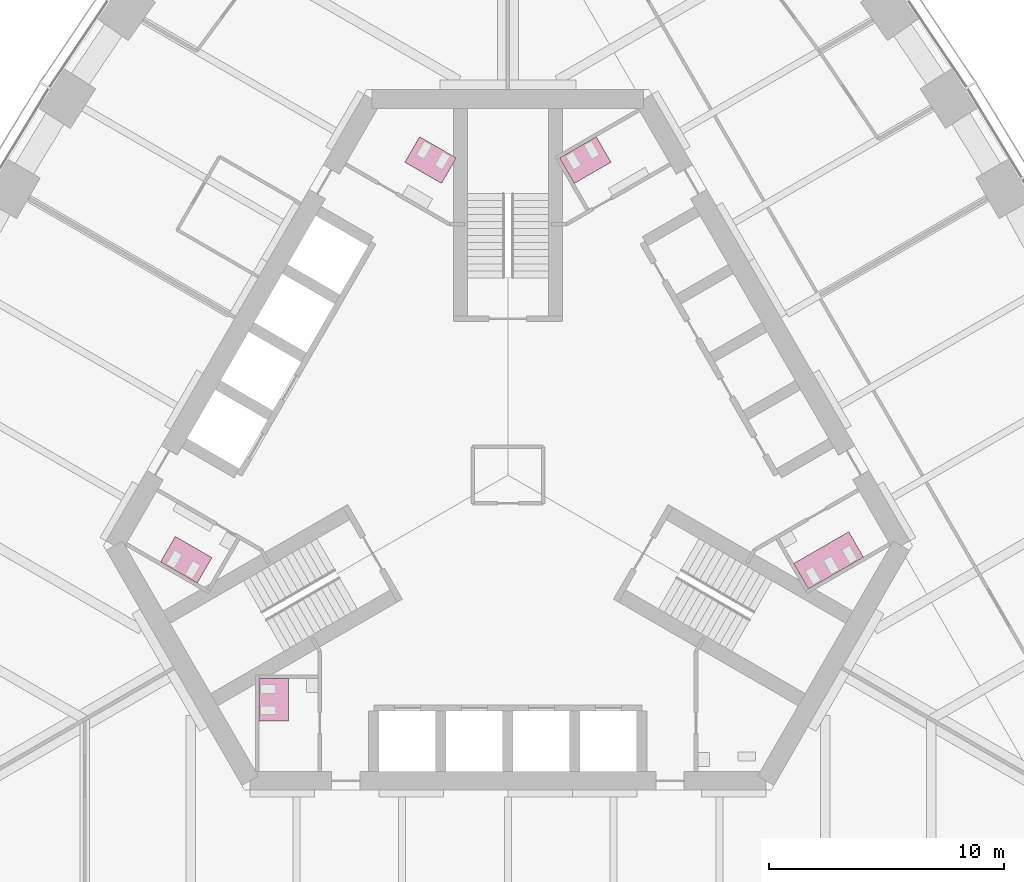
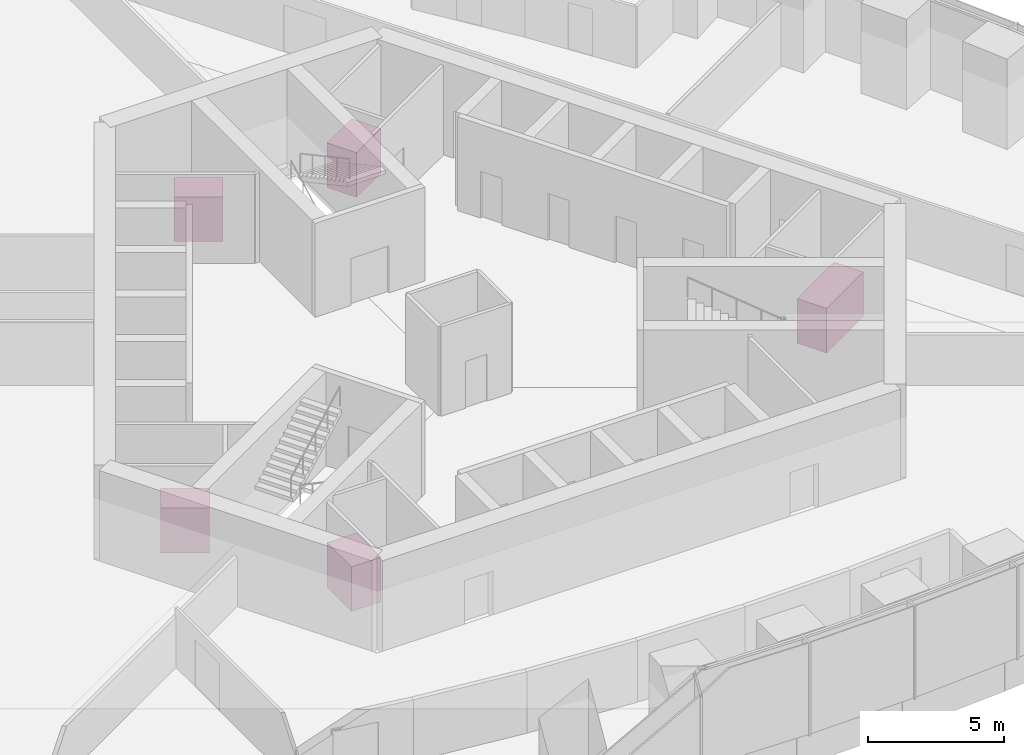
# One storey, part 18 of 18: 5 furniture elements.
"""IFC4 building model written with IfcOpenShell, lengths in metres."""

from ifc_helpers import new_model, si_unit, direction, frame, origin, place, context, subcontext, project, spatial, polyline, outline, extrude, material, type_object, element, save


model = new_model("IFC4")

# Units and contexts
model_context = context("Model", 3, precision=1e-05, world=origin(), true_north=direction((0.0, 1.0)))
body_context = subcontext(model_context, "Body", "Model", "MODEL_VIEW")
ifc_project = project(units=[si_unit("LENGTHUNIT", "METRE"), si_unit("AREAUNIT", "SQUARE_METRE"), si_unit("VOLUMEUNIT", "CUBIC_METRE"), si_unit("PLANEANGLEUNIT", "RADIAN"), si_unit("MASSUNIT", "GRAM", prefix="KILO")], contexts=[model_context])

# Site, building, storey
site_placement = place(None, origin())
site = spatial("IfcSite", under=ifc_project, at=site_placement, CompositionType="ELEMENT")
building_placement = place(site_placement, origin())
building = spatial("IfcBuilding", under=site, at=building_placement, Name="Trefoil Bronze Tower", CompositionType="ELEMENT")
storey_placement = place(building_placement, frame((0.0, 0.0, 198.10009765625)))
storey = spatial("IfcBuildingStorey", under=building, at=storey_placement, Name="L45", CompositionType="ELEMENT", Elevation=198.10009765625)

# Furniture
ifc_material_1 = material(Name="Compact laminate cubicles", Category="plastic")
furniture_type_1 = type_object("IfcFurnitureType", Name="WC cubicle range 2 cubicles", AssemblyPlace="FACTORY", PredefinedType="USERDEFINED", material=ifc_material_1)
furniture_1_placement = place(storey_placement, origin())
element("IfcFurniture", 1, at=furniture_1_placement, inside=storey, type_object=furniture_type_1, Name="WC cubicle range WC (men) L45", ObjectType="WC cubicle range", PredefinedType="USERDEFINED", context=body_context, shape_type="SweptSolid", body=[
    extrude(outline(polyline([(2.82373046875, 12.409423828125), (2.19873046875, 13.491943359375), (3.757568359375, 14.391845703125), (4.382568359375, 13.309326171875), (2.82373046875, 12.409423828125)])), origin(), (0.0, 0.0, 1.0), 2.0),
])
furniture_2_placement = place(storey_placement, origin())
element("IfcFurniture", 2, at=furniture_2_placement, inside=storey, type_object=furniture_type_1, Name="WC cubicle range WC (women) L45", ObjectType="WC cubicle range", PredefinedType="USERDEFINED", context=body_context, shape_type="SweptSolid", body=[
    extrude(outline(polyline([(-2.82373046875, 12.409423828125), (-2.19873046875, 13.491943359375), (-3.757568359375, 14.391845703125), (-4.382568359375, 13.309326171875), (-2.82373046875, 12.409423828125)])), origin(), (0.0, 0.0, 1.0), 2.0),
])
furniture_3_placement = place(storey_placement, origin())
element("IfcFurniture", 3, at=furniture_3_placement, inside=storey, type_object=furniture_type_1, Name="WC cubicle range WC (men) L45", ObjectType="WC cubicle range", PredefinedType="USERDEFINED", context=body_context, shape_type="SweptSolid", body=[
    extrude(outline(polyline([(-12.591552734375, -3.50927734375), (-13.216552734375, -4.591796875), (-14.775390625, -3.69189453125), (-14.150390625, -2.609375), (-12.591552734375, -3.50927734375)])), origin(), (0.0, 0.0, 1.0), 2.0),
])
furniture_4_placement = place(storey_placement, origin())
element("IfcFurniture", 4, at=furniture_4_placement, inside=storey, type_object=furniture_type_1, Name="WC cubicle range WC (women) L45", ObjectType="WC cubicle range", PredefinedType="USERDEFINED", context=body_context, shape_type="SweptSolid", body=[
    extrude(outline(polyline([(-9.3349609375, -8.64990234375), (-10.5849609375, -8.64990234375), (-10.5849609375, -10.449951171875), (-9.3349609375, -10.449951171875), (-9.3349609375, -8.64990234375)])), origin(), (0.0, 0.0, 1.0), 2.0),
])
ifc_material_2 = material(Name="Compact laminate cubicles", Category="plastic")
furniture_type_2 = type_object("IfcFurnitureType", Name="WC cubicle range 3 cubicles", AssemblyPlace="FACTORY", PredefinedType="USERDEFINED", material=ifc_material_2)
furniture_5_placement = place(storey_placement, origin())
element("IfcFurniture", 5, at=furniture_5_placement, inside=storey, type_object=furniture_type_2, Name="WC cubicle range WC (women) L45", ObjectType="WC cubicle range", PredefinedType="USERDEFINED", context=body_context, shape_type="SweptSolid", body=[
    extrude(outline(polyline([(12.15869140625, -3.75927734375), (12.78369140625, -4.841796875), (15.121826171875, -3.491943359375), (14.496826171875, -2.409423828125), (12.15869140625, -3.75927734375)])), origin(), (0.0, 0.0, 1.0), 2.0),
])

save(model, "model.ifc")
